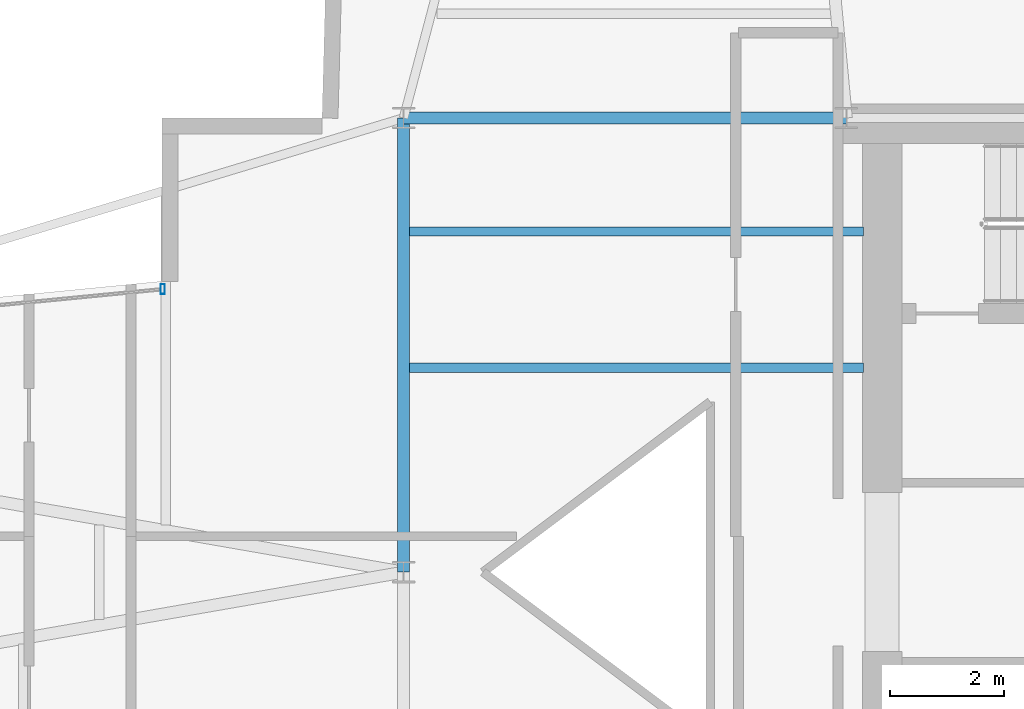
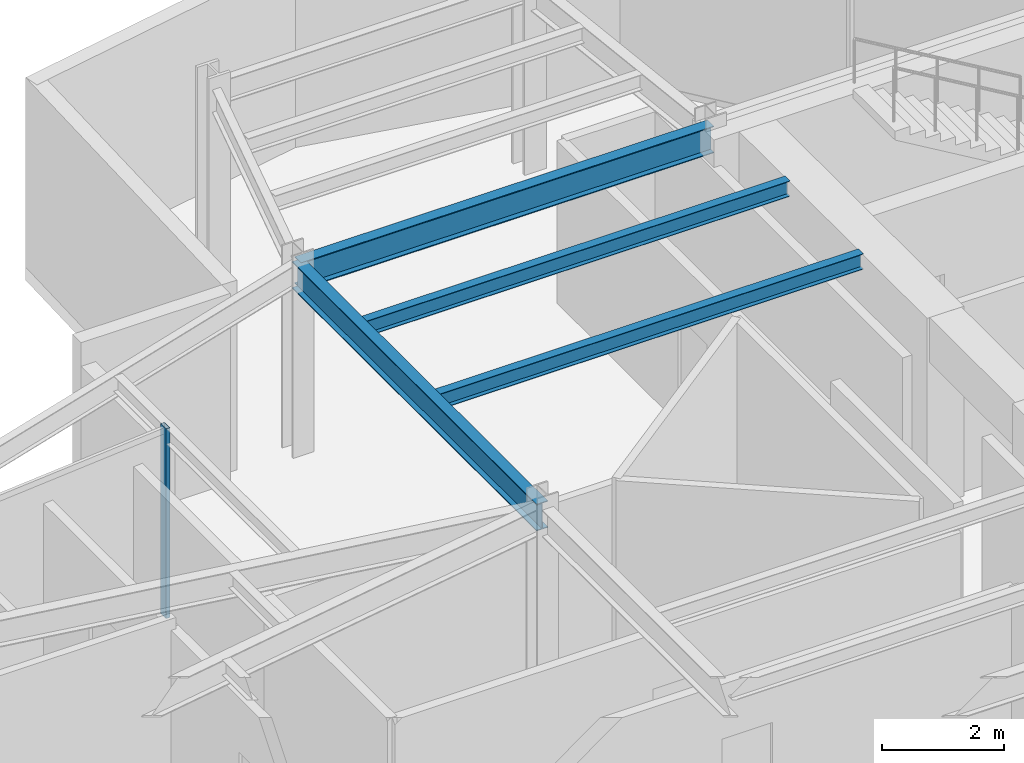
# One storey, part 10 of 21: 4 beams, 1 member, 1 element without a shape of its own.
"""IFC4 building model written with IfcOpenShell, lengths in metres."""

from ifc_helpers import new_model, si_unit, direction, frame, origin, origin_2d, place, context, subcontext, project, spatial, hollow_rectangle, i_section, extrude, material, layer, layer_set, material_profile, profile_set, type_object, element, aggregate, save


model = new_model("IFC4")

# Units and contexts
model_context = context("Model", 3, precision=1e-05, world=origin(), true_north=direction((0.0, 1.0)))
body_context = subcontext(model_context, "Body", "Model", "MODEL_VIEW")
ifc_project = project(units=[si_unit("LENGTHUNIT", "METRE"), si_unit("AREAUNIT", "SQUARE_METRE"), si_unit("VOLUMEUNIT", "CUBIC_METRE"), si_unit("PLANEANGLEUNIT", "RADIAN"), si_unit("MASSUNIT", "GRAM", prefix="KILO")], contexts=[model_context])

# Site, building, storey
site_placement = place(None, origin())
site = spatial("IfcSite", under=ifc_project, at=site_placement, CompositionType="ELEMENT")
building_placement = place(site_placement, origin())
building = spatial("IfcBuilding", under=site, at=building_placement, Name="Veymaron Broadcast Tower", CompositionType="ELEMENT")
storey_placement = place(building_placement, frame((0.0, 0.0, 244.5)))
storey = spatial("IfcBuildingStorey", under=building, at=storey_placement, Name="L57", CompositionType="ELEMENT", Elevation=244.5)

# Beams
ifc_material_1 = material(Name="Structural steel ASTM A992 Gr 50", Category="steel")
ifc_material_profile_1 = material_profile(ifc_material_1, i_section(OverallWidth=0.2099609375, OverallDepth=0.537109375, WebThickness=0.010986328125, FlangeThickness=0.017333984375, at=origin_2d()), Name="W530X101")
ifc_profile_set_1 = profile_set([ifc_material_profile_1], Name="Structural steel ASTM A992 Gr 50")
beam_type_1 = type_object("IfcBeamType", Name="BM-FG3", PredefinedType="BEAM", material=ifc_profile_set_1)
beam_1_placement = place(storey_placement, frame((31.199951171875, 24.0, 3.521484375), z_axis=(0.0, 1.0, 0.0), x_axis=(-1.0, 0.0, 0.0)))
element("IfcBeam", 1, at=beam_1_placement, inside=storey, type_object=beam_type_1, Name="L57 primary structural floor girder", PredefinedType="BEAM", context=body_context, shape_type="SweptSolid", body=[
    extrude(i_section(OverallWidth=0.2099609375, OverallDepth=0.537109375, WebThickness=0.010986328125, FlangeThickness=0.017333984375, at=origin_2d()), origin(), (0.0, 0.0, 1.0), 8.0),
])
beam_2_placement = place(storey_placement, frame((31.199951171875, 32.0, 3.521484375), z_axis=(1.0, 0.0, 0.0), x_axis=(0.0, 1.0, 0.0)))
element("IfcBeam", 2, at=beam_2_placement, inside=storey, type_object=beam_type_1, Name="L57 primary structural floor girder", PredefinedType="BEAM", context=body_context, shape_type="SweptSolid", body=[
    extrude(i_section(OverallWidth=0.2099609375, OverallDepth=0.537109375, WebThickness=0.010986328125, FlangeThickness=0.017333984375, at=origin_2d()), origin(), (0.0, 0.0, 1.0), 7.800048828125),
])
ifc_material_profile_2 = material_profile(ifc_material_1, i_section(OverallWidth=0.1650390625, OverallDepth=0.31005859375, WebThickness=0.005859375, FlangeThickness=0.009765625, at=origin_2d()), Name="W310X39")
ifc_profile_set_2 = profile_set([ifc_material_profile_2], Name="Structural steel ASTM A992 Gr 50")
beam_type_2 = type_object("IfcBeamType", Name="BM-JS3", PredefinedType="JOIST", material=ifc_profile_set_2)
for number, where, z_axis, x_axis, name in (
    (3, (31.300048828125, 27.60009765625, 3.635009765625), (1.0, 0.0, 0.0), (0.0, 1.0, 0.0), "L57 Hub secondary joist 3"),
    (4, (31.300048828125, 30.0, 3.635009765625), (1.0, 0.0, 0.0), (0.0, 1.0, 0.0), "L57 Hub secondary joist 4"),
):
    element("IfcBeam", number, at=place(storey_placement, frame(where, z_axis=z_axis, x_axis=x_axis)), inside=storey, type_object=beam_type_2, Name=name, PredefinedType="JOIST", context=body_context, shape_type="SweptSolid", body=[
        extrude(i_section(OverallWidth=0.1650390625, OverallDepth=0.31005859375, WebThickness=0.005859375, FlangeThickness=0.009765625, at=origin_2d()), origin(), (0.0, 0.0, 1.0), 8.0),
    ])

# Curtain wall, member
ifc_material_2 = material(Name="Anodised aluminium AA 6063-T6 and laminated low-E dark glass", Category="aluminium")
ifc_layer = layer(ifc_material_2, 0.179931640625)
ifc_layer_set = layer_set([ifc_layer], Name="Anodised aluminium AA 6063-T6 and laminated low-E dark glass")
curtain_wall_type = type_object("IfcCurtainWallType", Name="CW-SYS-05", PredefinedType="NOTDEFINED", material=ifc_layer_set)
curtain_wall_placement = place(storey_placement, origin())
curtain_wall = element("IfcCurtainWall", 5, at=curtain_wall_placement, inside=storey, type_object=curtain_wall_type, Name="L57 dark-glass curtain wall CW-L57-E11-1", PredefinedType="NOTDEFINED")
ifc_material_3 = material(Name="Anodised aluminium AA 6063-T6", Category="aluminium")
ifc_material_profile_3 = material_profile(ifc_material_3, hollow_rectangle(XDim=0.074951171875, YDim=0.179931640625, WallThickness=0.0048828125, at=origin_2d()), Name="AL180X75X5")
ifc_profile_set_3 = profile_set([ifc_material_profile_3], Name="Anodised aluminium AA 6063-T6")
member_type = type_object("IfcMemberType", Name="CW-MUL-02", PredefinedType="MULLION", material=ifc_profile_set_3)
member_placement = place(storey_placement, frame((26.9560546875, 28.984375, 0.0), z_axis=(0.0, 0.0, 1.0), x_axis=(1.0, 0.0, 0.0)))
member = element("IfcMember", 6, at=member_placement, type_object=member_type, Name="CW-L57-E11-1 mullion 0", PredefinedType="MULLION", context=body_context, shape_type="SweptSolid", body=[
    extrude(hollow_rectangle(XDim=0.074951171875, YDim=0.179931640625, WallThickness=0.0048828125, at=origin_2d()), origin(), (0.0, 0.0, 1.0), 3.7900390625),
])
aggregate(curtain_wall, [member])

save(model, "model.ifc")
